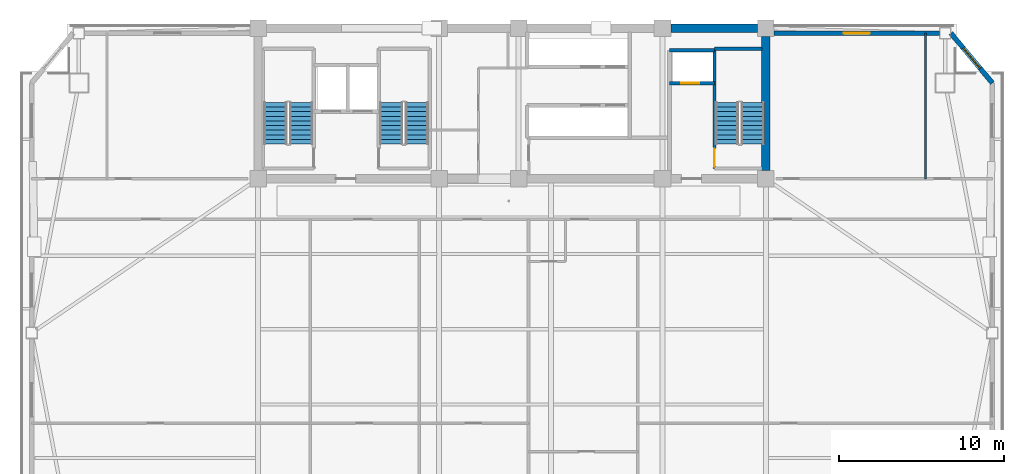
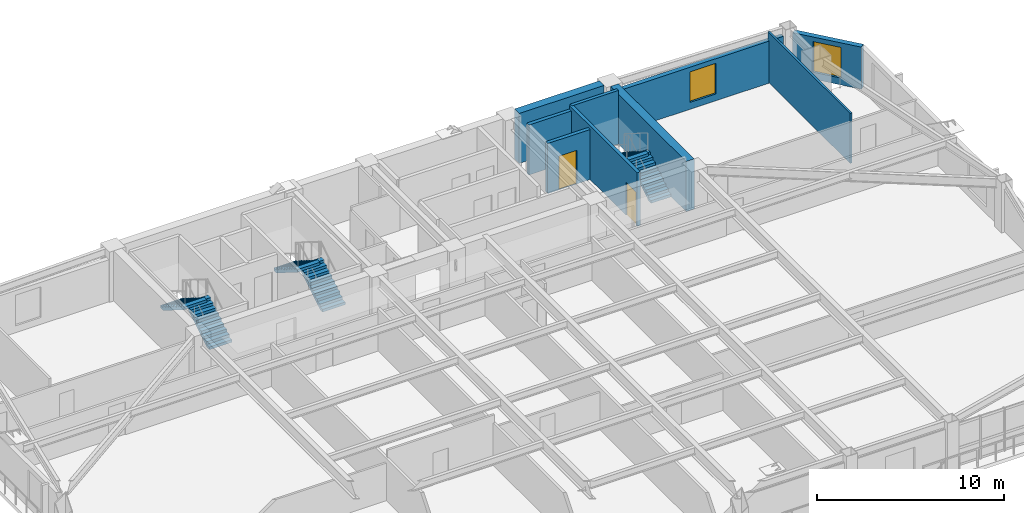
# One storey, part 10 of 15: 9 walls, 6 stair flights, 2 doors, 2 windows, 4 openings, 3 elements without a shape of their own.
"""IFC4 building model written with IfcOpenShell, lengths in metres."""

from ifc_helpers import new_model, si_unit, direction, frame, frame_2d, origin, place, context, subcontext, project, spatial, polyline, rectangle, outline, extrude, source, transform, mapped, material, layer, layer_set, type_object, element, fill, aggregate, save


model = new_model("IFC4")

# Units and contexts
model_context = context("Model", 3, precision=1e-05, world=origin(), true_north=direction((0.0, 1.0)))
body_context = subcontext(model_context, "Body", "Model", "MODEL_VIEW")
ifc_project = project(units=[si_unit("LENGTHUNIT", "METRE"), si_unit("AREAUNIT", "SQUARE_METRE"), si_unit("VOLUMEUNIT", "CUBIC_METRE"), si_unit("PLANEANGLEUNIT", "RADIAN"), si_unit("MASSUNIT", "GRAM", prefix="KILO")], contexts=[model_context])

# Site, building, storey
site_placement = place(None, origin())
site = spatial("IfcSite", under=ifc_project, at=site_placement, CompositionType="ELEMENT")
building_placement = place(site_placement, origin())
building = spatial("IfcBuilding", under=site, at=building_placement, Name="Giltprow Tower", CompositionType="ELEMENT")
storey_placement = place(building_placement, frame((0.0, 0.0, 184.199951171875)))
storey = spatial("IfcBuildingStorey", under=building, at=storey_placement, Name="L46", CompositionType="ELEMENT", Elevation=184.199951171875)

# Wall, opening, window
ifc_material_1 = material(Name="Precast concrete C40", Category="concrete")
ifc_layer_1 = layer(ifc_material_1, 0.300048828125, Name="Precast concrete C40")
ifc_layer_set_1 = layer_set([ifc_layer_1], Name="Precast concrete C40")
wall_type_1 = type_object("IfcWallType", Name="EW-NOTCH-CHAMFER-300", PredefinedType="SOLIDWALL", material=ifc_layer_set_1)
wall_1_placement = place(storey_placement, frame((64.2470703125, 43.239013671875, 0.0), z_axis=(0.0, 0.0, 1.0), x_axis=(-0.640459985381, 0.767991541051, 0.0)))
wall_1 = element("IfcWall", 1, at=wall_1_placement, inside=storey, type_object=wall_type_1, Name="L46 Corner Notch Wall NE", PredefinedType="SOLIDWALL", context=body_context, shape_type="SweptSolid", body=[
    extrude(rectangle(XDim=3.920654296875, YDim=0.300048828125, at=frame_2d((1.96044921875, 0.0))), origin(), (0.0, 0.0, 1.0), 2.75),
])
opening_1_placement = place(wall_1_placement, frame((1.159912109375, 0.0, 0.449951171875)))
opening_1 = element("IfcOpeningElement", 2, at=opening_1_placement, cuts=wall_1, Name="Opening WN17", PredefinedType="OPENING", context=body_context, shape_type="SweptSolid", body=[
    extrude(rectangle(XDim=1.60009765625, YDim=2.0, at=frame_2d((0.800048828125, 1.0))), frame((0.0, 0.159912109375, 0.0), z_axis=(0.0, -1.0, 0.0), x_axis=(1.0, 0.0, 0.0)), (0.0, 0.0, 1.0), 0.320068359375),
])
ifc_material_2 = material(Name="Insulated glass", Category="glass")
window_type = type_object("IfcWindowType", Name="WN-COR-1600x2000", PartitioningType="SINGLE_PANEL", PredefinedType="WINDOW", material=ifc_material_2)
shared_shape_1 = source(origin(), body_context, "Body", "SweptSolid", [
    extrude(rectangle(XDim=1.60009765625, YDim=2.0, at=frame_2d((0.800048828125, 1.0))), frame((0.0, 0.030029296875, 0.0), z_axis=(0.0, -1.0, 0.0), x_axis=(1.0, 0.0, 0.0)), (0.0, 0.0, 1.0), 0.06005859375),
])
window_1_placement = place(opening_1_placement, origin())
window_1 = element("IfcWindow", 3, at=window_1_placement, inside=storey, type_object=window_type, Name="L46 Corner Notch Window NE", OverallHeight=2.0, OverallWidth=1.60009765625, PartitioningType="SINGLE_PANEL", PredefinedType="WINDOW", context=body_context, shape_type="MappedRepresentation", body=[
    mapped(shared_shape_1, transform((0.0, 0.0, 0.0), x_axis=(1.0, 0.0, 0.0), y_axis=(0.0, 1.0, 0.0), z_axis=(0.0, 0.0, 1.0), scale=1.0)),
])
fill(opening_1, window_1)

ifc_layer_2 = layer(ifc_material_1, 0.280029296875, Name="Precast concrete C40")
ifc_layer_set_2 = layer_set([ifc_layer_2], Name="Precast concrete C40")
wall_type_2 = type_object("IfcWallType", Name="EW-TOW-BRONZE-280", PredefinedType="SOLIDWALL", material=ifc_layer_set_2)
wall_2_placement = place(storey_placement, frame((51.050048828125, 46.25, 0.0), z_axis=(0.0, 0.0, 1.0), x_axis=(1.0, 0.0, 0.0)))
wall_2 = element("IfcWall", 4, at=wall_2_placement, inside=storey, type_object=wall_type_2, Name="L46 North-East Wing Wall", PredefinedType="SOLIDWALL", context=body_context, shape_type="SweptSolid", body=[
    extrude(rectangle(XDim=9.98583984375, YDim=0.280029296875, at=frame_2d((4.992919921875, 0.0))), origin(), (0.0, 0.0, 1.0), 2.75),
])
opening_2_placement = place(wall_2_placement, frame((4.193115234375, 0.0, 0.449951171875)))
opening_2 = element("IfcOpeningElement", 5, at=opening_2_placement, cuts=wall_2, Name="Opening WN17", PredefinedType="OPENING", context=body_context, shape_type="SweptSolid", body=[
    extrude(rectangle(XDim=1.60009765625, YDim=2.0, at=frame_2d((0.800048828125, 1.0))), frame((0.0, 0.14990234375, 0.0), z_axis=(0.0, -1.0, 0.0), x_axis=(1.0, 0.0, 0.0)), (0.0, 0.0, 1.0), 0.300048828125),
])
window_2_placement = place(opening_2_placement, origin())
window_2 = element("IfcWindow", 6, at=window_2_placement, inside=storey, type_object=window_type, Name="L46 North-East Window", OverallHeight=2.0, OverallWidth=1.60009765625, PartitioningType="SINGLE_PANEL", PredefinedType="WINDOW", context=body_context, shape_type="MappedRepresentation", body=[
    mapped(shared_shape_1, transform((0.0, 0.0, 0.0), x_axis=(1.0, 0.0, 0.0), y_axis=(0.0, 1.0, 0.0), z_axis=(0.0, 0.0, 1.0), scale=1.0)),
])
fill(opening_2, window_2)

# Wall, opening, door
ifc_material_3 = material(Name="Concrete C40", Category="concrete")
ifc_layer_3 = layer(ifc_material_3, 0.219970703125, Name="Concrete C40")
ifc_layer_set_3 = layer_set([ifc_layer_3], Name="Concrete C40")
wall_type_3 = type_object("IfcWallType", Name="IW-SHAFT-220", PredefinedType="SOLIDWALL", material=ifc_layer_set_3)
wall_3_placement = place(storey_placement, frame((44.719970703125, 43.219970703125, 0.0), z_axis=(0.0, 0.0, 1.0), x_axis=(1.0, 0.0, 0.0)))
wall_3 = element("IfcWall", 7, at=wall_3_placement, inside=storey, type_object=wall_type_3, Name="L46 FFL2 Front Shaft Wall", PredefinedType="SOLIDWALL", context=body_context, shape_type="SweptSolid", body=[
    extrude(rectangle(XDim=2.719970703125, YDim=0.219970703125, at=frame_2d((1.35986328125, 0.0))), origin(), (0.0, 0.0, 1.0), 3.27001953125),
])
opening_3_placement = place(wall_3_placement, frame((0.699951171875, 0.0, 0.0)))
opening_3 = element("IfcOpeningElement", 8, at=opening_3_placement, cuts=wall_3, Name="Opening LD-11", PredefinedType="OPENING", context=body_context, shape_type="SweptSolid", body=[
    extrude(rectangle(XDim=1.10009765625, YDim=2.199951171875, at=frame_2d((0.550048828125, 1.10009765625))), frame((0.0, 0.119873046875, 0.0), z_axis=(0.0, -1.0, 0.0), x_axis=(1.0, 0.0, 0.0)), (0.0, 0.0, 1.0), 0.239990234375),
])
ifc_material_4 = material(Name="Stainless steel", Category="steel")
door_type_1 = type_object("IfcDoorType", Name="DR-LIFT-LD1100", OperationType="SLIDING_TO_LEFT", PredefinedType="DOOR", material=ifc_material_4)
shared_shape_2 = source(origin(), body_context, "Body", "SweptSolid", [
    extrude(rectangle(XDim=1.10009765625, YDim=2.199951171875, at=frame_2d((0.550048828125, 1.10009765625))), frame((0.0, 0.02490234375, 0.0), z_axis=(0.0, -1.0, 0.0), x_axis=(1.0, 0.0, 0.0)), (0.0, 0.0, 1.0), 0.050048828125),
])
door_1_placement = place(opening_3_placement, origin())
door_1 = element("IfcDoor", 9, at=door_1_placement, inside=storey, type_object=door_type_1, Name="L46 FFL2 Landing Door", OperationType="SLIDING_TO_LEFT", OverallHeight=2.199951171875, OverallWidth=1.10009765625, PredefinedType="DOOR", context=body_context, shape_type="MappedRepresentation", body=[
    mapped(shared_shape_2, transform((0.0, 0.0, 0.0), x_axis=(1.0, 0.0, 0.0), y_axis=(0.0, 1.0, 0.0), z_axis=(0.0, 0.0, 1.0), scale=1.0)),
])
fill(opening_3, door_1)

# Wall
wall_4_placement = place(storey_placement, frame((44.719970703125, 45.219970703125, 0.0), z_axis=(0.0, 0.0, 1.0), x_axis=(1.0, 0.0, 0.0)))
element("IfcWall", 10, at=wall_4_placement, inside=storey, type_object=wall_type_3, Name="L46 FFL2 Back Shaft Wall", PredefinedType="SOLIDWALL", context=body_context, shape_type="SweptSolid", body=[
    extrude(rectangle(XDim=2.719970703125, YDim=0.219970703125, at=frame_2d((1.35986328125, 0.0))), origin(), (0.0, 0.0, 1.0), 3.27001953125),
])

# Wall, opening, door
ifc_layer_4 = layer(ifc_material_3, 0.199951171875, Name="Concrete C40")
ifc_layer_set_4 = layer_set([ifc_layer_4], Name="Concrete C40")
wall_type_4 = type_object("IfcWallType", Name="IW-STAIR-200", PredefinedType="SOLIDWALL", material=ifc_layer_set_4)
wall_5_placement = place(storey_placement, frame((47.43994140625, 38.070068359375, 0.0), z_axis=(0.0, 0.0, 1.0), x_axis=(0.0, 1.0, 0.0)))
wall_5 = element("IfcWall", 11, at=wall_5_placement, inside=storey, type_object=wall_type_4, Name="L46 Stair ST-3 West Bearing Wall", PredefinedType="SOLIDWALL", context=body_context, shape_type="SweptSolid", body=[
    extrude(rectangle(XDim=7.25, YDim=0.199951171875, at=frame_2d((3.625, 0.0))), origin(), (0.0, 0.0, 1.0), 3.5),
])
opening_4_placement = place(wall_5_placement, frame((0.110107421875, 0.0, 0.0)))
opening_4 = element("IfcOpeningElement", 12, at=opening_4_placement, cuts=wall_5, Name="Opening ID33", PredefinedType="OPENING", context=body_context, shape_type="SweptSolid", body=[
    extrude(rectangle(XDim=1.10009765625, YDim=2.14990234375, at=frame_2d((0.550048828125, 1.074951171875))), frame((0.0, 0.10986328125, 0.0), z_axis=(0.0, -1.0, 0.0), x_axis=(1.0, 0.0, 0.0)), (0.0, 0.0, 1.0), 0.219970703125),
])
ifc_material_5 = material(Name="Steel fire leaf", Category="steel")
door_type_2 = type_object("IfcDoorType", Name="DR-STAIR-1100", OperationType="SINGLE_SWING_LEFT", PredefinedType="DOOR", material=ifc_material_5)
shared_shape_3 = source(origin(), body_context, "Body", "SweptSolid", [
    extrude(rectangle(XDim=1.10009765625, YDim=2.14990234375, at=frame_2d((0.550048828125, 1.074951171875))), frame((0.0, 0.02490234375, 0.0), z_axis=(0.0, -1.0, 0.0), x_axis=(1.0, 0.0, 0.0)), (0.0, 0.0, 1.0), 0.050048828125),
])
door_2_placement = place(opening_4_placement, origin())
door_2 = element("IfcDoor", 13, at=door_2_placement, inside=storey, type_object=door_type_2, Name="L46 Stair ST-3 Fire Door", OperationType="SINGLE_SWING_LEFT", OverallHeight=2.14990234375, OverallWidth=1.10009765625, PredefinedType="DOOR", context=body_context, shape_type="MappedRepresentation", body=[
    mapped(shared_shape_3, transform((0.0, 0.0, 0.0), x_axis=(1.0, 0.0, 0.0), y_axis=(0.0, 1.0, 0.0), z_axis=(0.0, 0.0, 1.0), scale=1.0)),
])
fill(opening_4, door_2)

# Walls
wall_6_placement = place(storey_placement, frame((47.43994140625, 45.320068359375, 0.0), z_axis=(0.0, 0.0, 1.0), x_axis=(1.0, 0.0, 0.0)))
element("IfcWall", 14, at=wall_6_placement, inside=storey, type_object=wall_type_4, Name="L46 Stair ST-3 North Bearing Wall", PredefinedType="SOLIDWALL", context=body_context, shape_type="SweptSolid", body=[
    extrude(rectangle(XDim=2.880126953125, YDim=0.199951171875, at=frame_2d((1.43994140625, 0.0))), origin(), (0.0, 0.0, 1.0), 3.5),
])
ifc_material_6 = material(Name="Concrete C30", Category="concrete")
ifc_layer_5 = layer(ifc_material_6, 0.1298828125, Name="Concrete C30")
ifc_layer_set_5 = layer_set([ifc_layer_5], Name="Concrete C30")
wall_type_5 = type_object("IfcWallType", Name="IW-WET-130", PredefinedType="PARTITIONING", material=ifc_layer_set_5)
wall_7_placement = place(storey_placement, frame((60.2080078125, 37.449951171875, 0.0), z_axis=(0.0, 0.0, 1.0), x_axis=(0.0, 1.0, 0.0)))
element("IfcWall", 15, at=wall_7_placement, inside=storey, type_object=wall_type_5, Name="L46 NE Wing Divider", PredefinedType="PARTITIONING", context=body_context, shape_type="SweptSolid", body=[
    extrude(rectangle(XDim=8.800048828125, YDim=0.1298828125, at=frame_2d((4.39990234375, 0.0))), origin(), (0.0, 0.0, 1.0), 3.27001953125),
])
ifc_material_7 = material(Name="Concrete C50", Category="concrete")
ifc_layer_6 = layer(ifc_material_7, 0.5, Name="Concrete C50")
ifc_layer_set_6 = layer_set([ifc_layer_6], Name="Concrete C50")
wall_type_6 = type_object("IfcWallType", Name="SW-EXT-500-C50", PredefinedType="SHEAR", material=ifc_layer_set_6)
wall_8_placement = place(storey_placement, frame((44.800048828125, 46.550048828125, 0.0), z_axis=(0.0, 0.0, 1.0), x_axis=(1.0, 0.0, 0.0)))
element("IfcWall", 16, at=wall_8_placement, inside=storey, type_object=wall_type_6, Name="L46 North Rear Core Shear Wall 4", PredefinedType="SHEAR", context=body_context, shape_type="SweptSolid", body=[
    extrude(rectangle(XDim=5.25, YDim=0.5, at=frame_2d((2.625, 0.0))), origin(), (0.0, 0.0, 1.0), 3.27001953125),
])
ifc_layer_7 = layer(ifc_material_7, 0.5, Name="Concrete C50")
ifc_layer_set_7 = layer_set([ifc_layer_7], Name="Concrete C50")
wall_type_7 = type_object("IfcWallType", Name="SW-INT-500-C50", PredefinedType="SHEAR", material=ifc_layer_set_7)
wall_9_placement = place(storey_placement, frame((50.550048828125, 37.949951171875, 0.0), z_axis=(0.0, 0.0, 1.0), x_axis=(0.0, 1.0, 0.0)))
element("IfcWall", 17, at=wall_9_placement, inside=storey, type_object=wall_type_7, Name="L46 E Rear Core Shear Wall", PredefinedType="SHEAR", context=body_context, shape_type="SweptSolid", body=[
    extrude(rectangle(XDim=8.10009765625, YDim=0.5, at=frame_2d((4.050048828125, 0.0))), origin(), (0.0, 0.0, 1.0), 3.27001953125),
])

# Stair, stair flights
stair_type_1 = type_object("IfcStairType", Name="STR-ST-1", PredefinedType="HALF_TURN_STAIR", material=ifc_material_3)
stair_1_placement = place(storey_placement, origin())
stair_1 = element("IfcStair", 18, at=stair_1_placement, inside=storey, type_object=stair_type_1, Name="L46 Core Exit Stair ST-1", PredefinedType="HALF_TURN_STAIR")
stair_flight_type_1 = type_object("IfcStairFlightType", Name="SFL-ST-1", PredefinedType="STRAIGHT", material=ifc_material_3)
stair_flight_1_placement = place(storey_placement, frame((22.4599609375, 39.550048828125, 0.0), z_axis=(0.0, 0.0, 1.0), x_axis=(0.0, 1.0, 0.0)))
stair_flight_1 = element("IfcStairFlight", 19, at=stair_flight_1_placement, type_object=stair_flight_type_1, Name="ST-1 flight 1", NumberOfRisers=10, NumberOfTreads=9, PredefinedType="STRAIGHT", RiserHeight=0.175, TreadLength=0.28, context=body_context, shape_type="SweptSolid", body=[
    extrude(outline(polyline([(0.0, 0.0), (0.0, 0.175048828125), (0.280029296875, 0.175048828125), (0.280029296875, 0.35009765625), (0.56005859375, 0.35009765625), (0.56005859375, 0.52490234375), (0.840087890625, 0.52490234375), (0.840087890625, 0.699951171875), (1.1201171875, 0.699951171875), (1.1201171875, 0.875), (1.39990234375, 0.875), (1.39990234375, 1.050048828125), (1.679931640625, 1.050048828125), (1.679931640625, 1.22509765625), (1.9599609375, 1.22509765625), (1.9599609375, 1.39990234375), (2.239990234375, 1.39990234375), (2.239990234375, 1.574951171875), (2.52001953125, 1.574951171875), (2.52001953125, 1.75), (2.52001953125, 1.398193359375), (0.28271484375, 0.0), (0.0, 0.0)])), frame((0.0, 0.699951171875, 0.0), z_axis=(0.0, -1.0, 0.0), x_axis=(1.0, 0.0, 0.0)), (0.0, 0.0, 1.0), 1.39990234375),
])
stair_flight_2_placement = place(storey_placement, frame((20.89990234375, 42.070068359375, 1.75), z_axis=(0.0, 0.0, 1.0), x_axis=(0.0, -1.0, 0.0)))
stair_flight_2 = element("IfcStairFlight", 20, at=stair_flight_2_placement, type_object=stair_flight_type_1, Name="ST-1 flight 2", NumberOfRisers=10, NumberOfTreads=9, PredefinedType="STRAIGHT", RiserHeight=0.175, TreadLength=0.28, context=body_context, shape_type="SweptSolid", body=[
    extrude(outline(polyline([(0.0, 0.0), (0.0, 0.175048828125), (0.280029296875, 0.175048828125), (0.280029296875, 0.35009765625), (0.56005859375, 0.35009765625), (0.56005859375, 0.52490234375), (0.840087890625, 0.52490234375), (0.840087890625, 0.699951171875), (1.1201171875, 0.699951171875), (1.1201171875, 0.875), (1.39990234375, 0.875), (1.39990234375, 1.050048828125), (1.679931640625, 1.050048828125), (1.679931640625, 1.22509765625), (1.9599609375, 1.22509765625), (1.9599609375, 1.39990234375), (2.239990234375, 1.39990234375), (2.239990234375, 1.574951171875), (2.52001953125, 1.574951171875), (2.52001953125, 1.75), (2.52001953125, 1.398193359375), (0.28271484375, 0.0), (0.0, 0.0)])), frame((0.0, 0.699951171875, 0.0), z_axis=(0.0, -1.0, 0.0), x_axis=(1.0, 0.0, 0.0)), (0.0, 0.0, 1.0), 1.39990234375),
])
aggregate(stair_1, [stair_flight_1, stair_flight_2])

stair_type_2 = type_object("IfcStairType", Name="STR-ST-2", PredefinedType="HALF_TURN_STAIR", material=ifc_material_3)
stair_2_placement = place(storey_placement, origin())
stair_2 = element("IfcStair", 21, at=stair_2_placement, inside=storey, type_object=stair_type_2, Name="L46 Core Exit Stair ST-2", PredefinedType="HALF_TURN_STAIR")
stair_flight_type_2 = type_object("IfcStairFlightType", Name="SFL-ST-2", PredefinedType="STRAIGHT", material=ifc_material_3)
stair_flight_3_placement = place(storey_placement, frame((29.4599609375, 39.550048828125, 0.0), z_axis=(0.0, 0.0, 1.0), x_axis=(0.0, 1.0, 0.0)))
stair_flight_3 = element("IfcStairFlight", 22, at=stair_flight_3_placement, type_object=stair_flight_type_2, Name="ST-2 flight 1", NumberOfRisers=10, NumberOfTreads=9, PredefinedType="STRAIGHT", RiserHeight=0.175, TreadLength=0.28, context=body_context, shape_type="SweptSolid", body=[
    extrude(outline(polyline([(0.0, 0.0), (0.0, 0.175048828125), (0.280029296875, 0.175048828125), (0.280029296875, 0.35009765625), (0.56005859375, 0.35009765625), (0.56005859375, 0.52490234375), (0.840087890625, 0.52490234375), (0.840087890625, 0.699951171875), (1.1201171875, 0.699951171875), (1.1201171875, 0.875), (1.39990234375, 0.875), (1.39990234375, 1.050048828125), (1.679931640625, 1.050048828125), (1.679931640625, 1.22509765625), (1.9599609375, 1.22509765625), (1.9599609375, 1.39990234375), (2.239990234375, 1.39990234375), (2.239990234375, 1.574951171875), (2.52001953125, 1.574951171875), (2.52001953125, 1.75), (2.52001953125, 1.398193359375), (0.28271484375, 0.0), (0.0, 0.0)])), frame((0.0, 0.699951171875, 0.0), z_axis=(0.0, -1.0, 0.0), x_axis=(1.0, 0.0, 0.0)), (0.0, 0.0, 1.0), 1.39990234375),
])
stair_flight_4_placement = place(storey_placement, frame((27.89990234375, 42.070068359375, 1.75), z_axis=(0.0, 0.0, 1.0), x_axis=(0.0, -1.0, 0.0)))
stair_flight_4 = element("IfcStairFlight", 23, at=stair_flight_4_placement, type_object=stair_flight_type_2, Name="ST-2 flight 2", NumberOfRisers=10, NumberOfTreads=9, PredefinedType="STRAIGHT", RiserHeight=0.175, TreadLength=0.28, context=body_context, shape_type="SweptSolid", body=[
    extrude(outline(polyline([(0.0, 0.0), (0.0, 0.175048828125), (0.280029296875, 0.175048828125), (0.280029296875, 0.35009765625), (0.56005859375, 0.35009765625), (0.56005859375, 0.52490234375), (0.840087890625, 0.52490234375), (0.840087890625, 0.699951171875), (1.1201171875, 0.699951171875), (1.1201171875, 0.875), (1.39990234375, 0.875), (1.39990234375, 1.050048828125), (1.679931640625, 1.050048828125), (1.679931640625, 1.22509765625), (1.9599609375, 1.22509765625), (1.9599609375, 1.39990234375), (2.239990234375, 1.39990234375), (2.239990234375, 1.574951171875), (2.52001953125, 1.574951171875), (2.52001953125, 1.75), (2.52001953125, 1.398193359375), (0.28271484375, 0.0), (0.0, 0.0)])), frame((0.0, 0.699951171875, 0.0), z_axis=(0.0, -1.0, 0.0), x_axis=(1.0, 0.0, 0.0)), (0.0, 0.0, 1.0), 1.39990234375),
])
aggregate(stair_2, [stair_flight_3, stair_flight_4])

stair_type_3 = type_object("IfcStairType", Name="STR-ST-3", PredefinedType="HALF_TURN_STAIR", material=ifc_material_3)
stair_3_placement = place(storey_placement, origin())
stair_3 = element("IfcStair", 24, at=stair_3_placement, inside=storey, type_object=stair_type_3, Name="L46 Core Exit Stair ST-3", PredefinedType="HALF_TURN_STAIR")
stair_flight_type_3 = type_object("IfcStairFlightType", Name="SFL-ST-3", PredefinedType="STRAIGHT", material=ifc_material_3)
stair_flight_5_placement = place(storey_placement, frame((49.760009765625, 39.550048828125, 0.0), z_axis=(0.0, 0.0, 1.0), x_axis=(0.0, 1.0, 0.0)))
stair_flight_5 = element("IfcStairFlight", 25, at=stair_flight_5_placement, type_object=stair_flight_type_3, Name="ST-3 flight 1", NumberOfRisers=10, NumberOfTreads=9, PredefinedType="STRAIGHT", RiserHeight=0.175, TreadLength=0.28, context=body_context, shape_type="SweptSolid", body=[
    extrude(outline(polyline([(0.0, 0.0), (0.0, 0.175048828125), (0.280029296875, 0.175048828125), (0.280029296875, 0.35009765625), (0.56005859375, 0.35009765625), (0.56005859375, 0.52490234375), (0.840087890625, 0.52490234375), (0.840087890625, 0.699951171875), (1.1201171875, 0.699951171875), (1.1201171875, 0.875), (1.39990234375, 0.875), (1.39990234375, 1.050048828125), (1.679931640625, 1.050048828125), (1.679931640625, 1.22509765625), (1.9599609375, 1.22509765625), (1.9599609375, 1.39990234375), (2.239990234375, 1.39990234375), (2.239990234375, 1.574951171875), (2.52001953125, 1.574951171875), (2.52001953125, 1.75), (2.52001953125, 1.398193359375), (0.28271484375, 0.0), (0.0, 0.0)])), frame((0.0, 0.699951171875, 0.0), z_axis=(0.0, -1.0, 0.0), x_axis=(1.0, 0.0, 0.0)), (0.0, 0.0, 1.0), 1.39990234375),
])
stair_flight_6_placement = place(storey_placement, frame((48.199951171875, 42.070068359375, 1.75), z_axis=(0.0, 0.0, 1.0), x_axis=(0.0, -1.0, 0.0)))
stair_flight_6 = element("IfcStairFlight", 26, at=stair_flight_6_placement, type_object=stair_flight_type_3, Name="ST-3 flight 2", NumberOfRisers=10, NumberOfTreads=9, PredefinedType="STRAIGHT", RiserHeight=0.175, TreadLength=0.28, context=body_context, shape_type="SweptSolid", body=[
    extrude(outline(polyline([(0.0, 0.0), (0.0, 0.175048828125), (0.280029296875, 0.175048828125), (0.280029296875, 0.35009765625), (0.56005859375, 0.35009765625), (0.56005859375, 0.52490234375), (0.840087890625, 0.52490234375), (0.840087890625, 0.699951171875), (1.1201171875, 0.699951171875), (1.1201171875, 0.875), (1.39990234375, 0.875), (1.39990234375, 1.050048828125), (1.679931640625, 1.050048828125), (1.679931640625, 1.22509765625), (1.9599609375, 1.22509765625), (1.9599609375, 1.39990234375), (2.239990234375, 1.39990234375), (2.239990234375, 1.574951171875), (2.52001953125, 1.574951171875), (2.52001953125, 1.75), (2.52001953125, 1.398193359375), (0.28271484375, 0.0), (0.0, 0.0)])), frame((0.0, 0.699951171875, 0.0), z_axis=(0.0, -1.0, 0.0), x_axis=(1.0, 0.0, 0.0)), (0.0, 0.0, 1.0), 1.39990234375),
])
aggregate(stair_3, [stair_flight_5, stair_flight_6])

save(model, "model.ifc")
